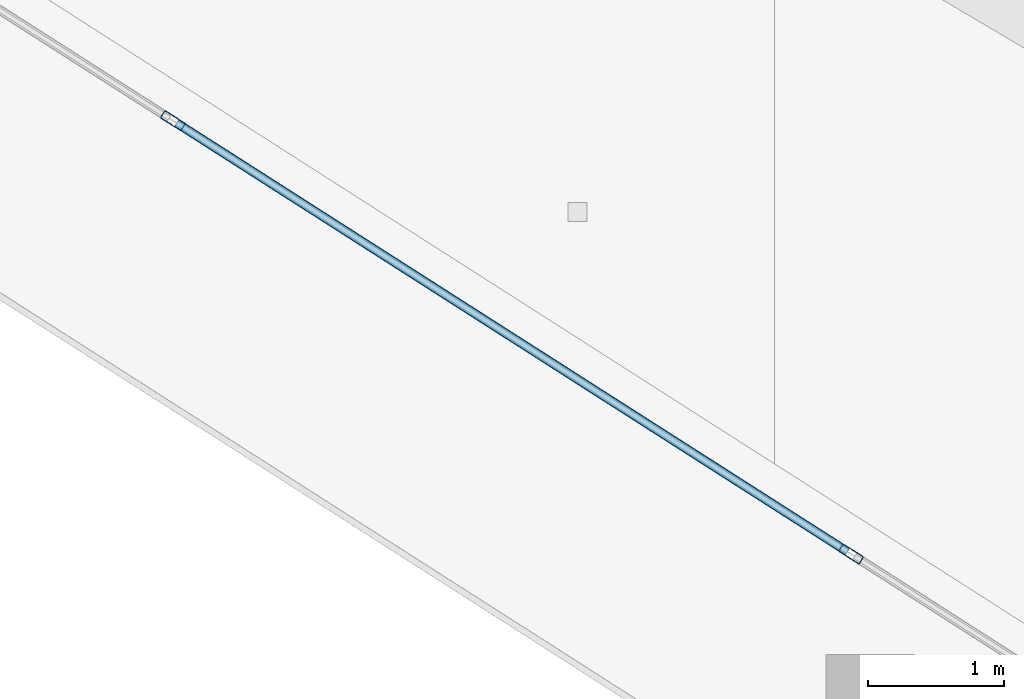
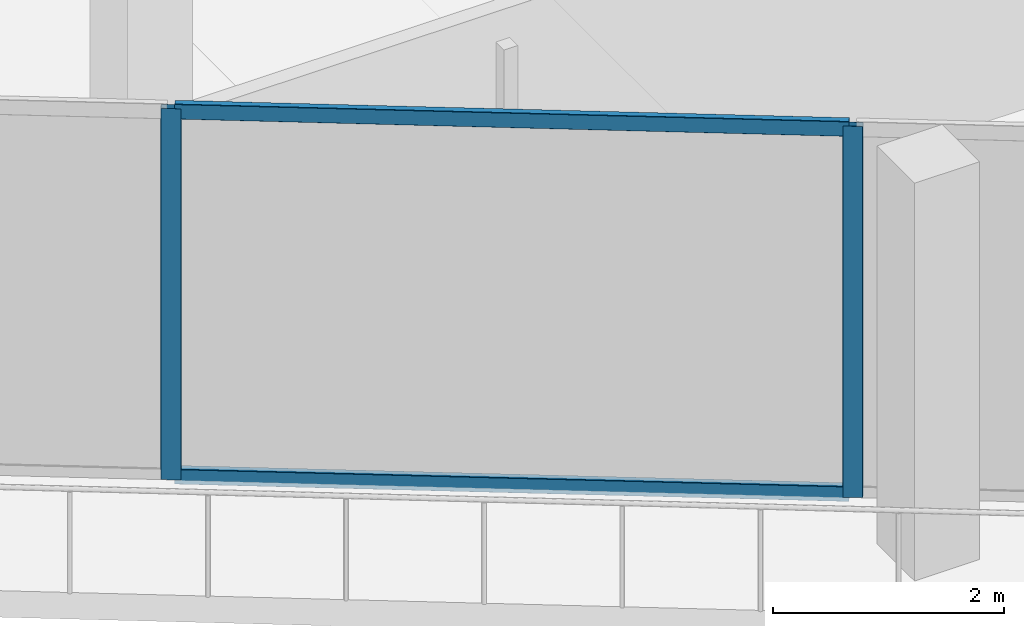
# One storey, part 3 of 44: 4 members, 1 element without a shape of its own.
"""IFC4 building model written with IfcOpenShell, lengths in metres."""

from ifc_helpers import new_model, si_unit, direction, frame, origin, origin_2d, place, context, subcontext, project, spatial, hollow_rectangle, extrude, material, layer, layer_set, material_profile, profile_set, type_object, element, aggregate, save


model = new_model("IFC4")

# Units and contexts
model_context = context("Model", 3, precision=1e-05, world=origin(), true_north=direction((0.0, 1.0)))
body_context = subcontext(model_context, "Body", "Model", "MODEL_VIEW")
ifc_project = project(units=[si_unit("LENGTHUNIT", "METRE"), si_unit("AREAUNIT", "SQUARE_METRE"), si_unit("VOLUMEUNIT", "CUBIC_METRE"), si_unit("PLANEANGLEUNIT", "RADIAN"), si_unit("MASSUNIT", "GRAM", prefix="KILO")], contexts=[model_context])

# Site, building, storey
site_placement = place(None, origin())
site = spatial("IfcSite", under=ifc_project, at=site_placement, CompositionType="ELEMENT")
building_placement = place(site_placement, origin())
building = spatial("IfcBuilding", under=site, at=building_placement, Name="Qorvath Tower", CompositionType="ELEMENT")
storey_placement = place(building_placement, frame((0.0, 0.0, 53.39990234375)))
storey = spatial("IfcBuildingStorey", under=building, at=storey_placement, Name="L11", CompositionType="ELEMENT", Elevation=53.39990234375)

# Curtain wall, members
ifc_material_1 = material(Name="Anodised aluminium and triple low-E glass", Category="aluminium")
ifc_layer = layer(ifc_material_1, 0.179931640625)
ifc_layer_set = layer_set([ifc_layer], Name="CW-SYS-2")
curtain_wall_type = type_object("IfcCurtainWallType", Name="CW-SYS-2", PredefinedType="NOTDEFINED", material=ifc_layer_set)
curtain_wall_placement = place(storey_placement, origin())
curtain_wall = element("IfcCurtainWall", 1, at=curtain_wall_placement, inside=storey, type_object=curtain_wall_type, Name="Curtain Wall CW-2 CW-T-L11-2.1", PredefinedType="NOTDEFINED")
ifc_material_2 = material(Name="Anodised aluminium 6063-T6", Category="aluminium")
ifc_material_profile_1 = material_profile(ifc_material_2, hollow_rectangle(XDim=0.06494140625, YDim=0.179931640625, WallThickness=0.00341796875, InnerFilletRadius=0.00341796875, OuterFilletRadius=0.007080078125, at=origin_2d()), Name="CWM 180x65")
ifc_profile_set_1 = profile_set([ifc_material_profile_1], Name="Anodised aluminium 6063-T6")
member_type_1 = type_object("IfcMemberType", Name="CWM-180", PredefinedType="MULLION", material=ifc_profile_set_1)
member_1_placement = place(storey_placement, frame((-50.65185546875, -10.534912109375, 0.0), z_axis=(0.0, 0.0, 1.0), x_axis=(0.538531853978, 0.842605152044, 0.0)))
member_1 = element("IfcMember", 2, at=member_1_placement, type_object=member_type_1, Name="CW-2 mullion 3", PredefinedType="MULLION", context=body_context, shape_type="SweptSolid", body=[
    extrude(hollow_rectangle(XDim=0.06494140625, YDim=0.179931640625, WallThickness=0.00341796875, InnerFilletRadius=0.00341796875, OuterFilletRadius=0.007080078125, at=origin_2d()), origin(), (0.0, 0.0, 1.0), 3.920166015625),
])
member_2_placement = place(storey_placement, frame((-45.677001953125, -13.71435546875, 0.0), z_axis=(0.0, 0.0, 1.0), x_axis=(0.538531853978, 0.842605152044, 0.0)))
member_2 = element("IfcMember", 3, at=member_2_placement, type_object=member_type_1, Name="CW-2 mullion 4", PredefinedType="MULLION", context=body_context, shape_type="SweptSolid", body=[
    extrude(hollow_rectangle(XDim=0.06494140625, YDim=0.179931640625, WallThickness=0.00341796875, InnerFilletRadius=0.00341796875, OuterFilletRadius=0.007080078125, at=origin_2d()), origin(), (0.0, 0.0, 1.0), 3.920166015625),
])
ifc_material_3 = material(Name="Anodised aluminium 6063-T6", Category="aluminium")
ifc_material_profile_2 = material_profile(ifc_material_3, hollow_rectangle(XDim=0.06494140625, YDim=0.159912109375, WallThickness=0.00341796875, InnerFilletRadius=0.00341796875, OuterFilletRadius=0.007080078125, at=origin_2d()), Name="CWT 160x65")
ifc_profile_set_2 = profile_set([ifc_material_profile_2], Name="Anodised aluminium 6063-T6")
member_type_2 = type_object("IfcMemberType", Name="CWT-160", PredefinedType="USERDEFINED", material=ifc_profile_set_2)
member_3_placement = place(storey_placement, frame((-50.624267578125, -10.552490234375, 0.032470703125), z_axis=(0.842618260885, -0.538511342891, 0.0), x_axis=(0.538511342891, 0.842618260885, 0.0)))
member_3 = element("IfcMember", 4, at=member_3_placement, type_object=member_type_2, Name="CW-2 transom 3.1", ObjectType="TRANSOM", PredefinedType="USERDEFINED", context=body_context, shape_type="SweptSolid", body=[
    extrude(hollow_rectangle(XDim=0.06494140625, YDim=0.159912109375, WallThickness=0.00341796875, InnerFilletRadius=0.00341796875, OuterFilletRadius=0.007080078125, at=origin_2d()), origin(), (0.0, 0.0, 1.0), 5.8388671875),
])
member_4_placement = place(storey_placement, frame((-50.624267578125, -10.552490234375, 3.8876953125), z_axis=(0.842618260885, -0.538511342891, 0.0), x_axis=(0.538511342891, 0.842618260885, 0.0)))
member_4 = element("IfcMember", 5, at=member_4_placement, type_object=member_type_2, Name="CW-2 transom 3.2", ObjectType="TRANSOM", PredefinedType="USERDEFINED", context=body_context, shape_type="SweptSolid", body=[
    extrude(hollow_rectangle(XDim=0.06494140625, YDim=0.159912109375, WallThickness=0.00341796875, InnerFilletRadius=0.00341796875, OuterFilletRadius=0.007080078125, at=origin_2d()), origin(), (0.0, 0.0, 1.0), 5.8388671875),
])
aggregate(curtain_wall, [member_1, member_2, member_3, member_4])

save(model, "model.ifc")
